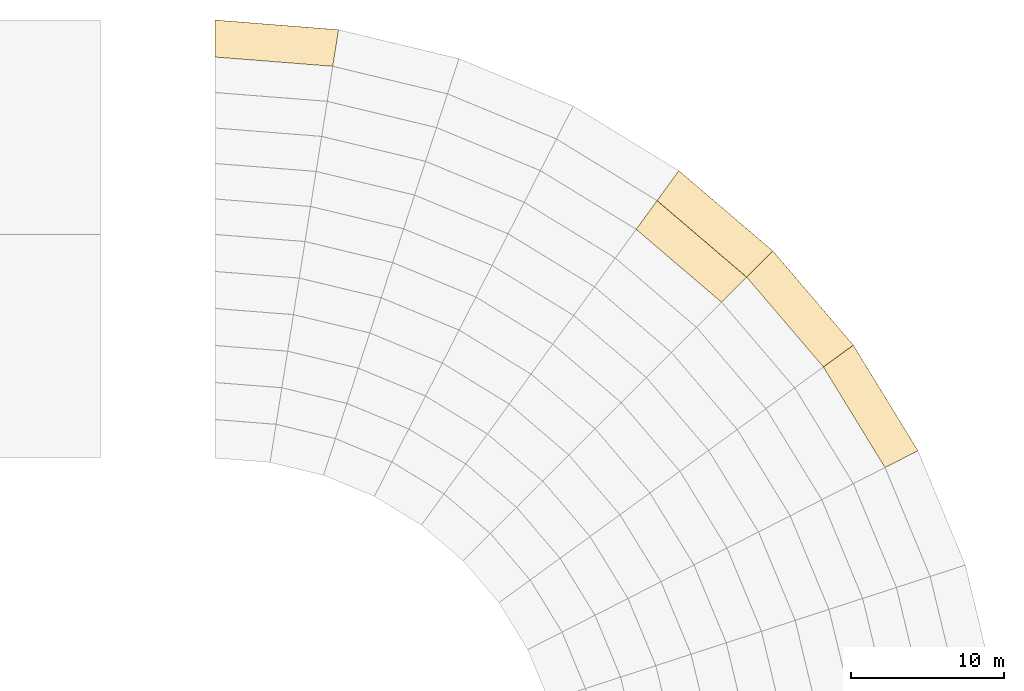
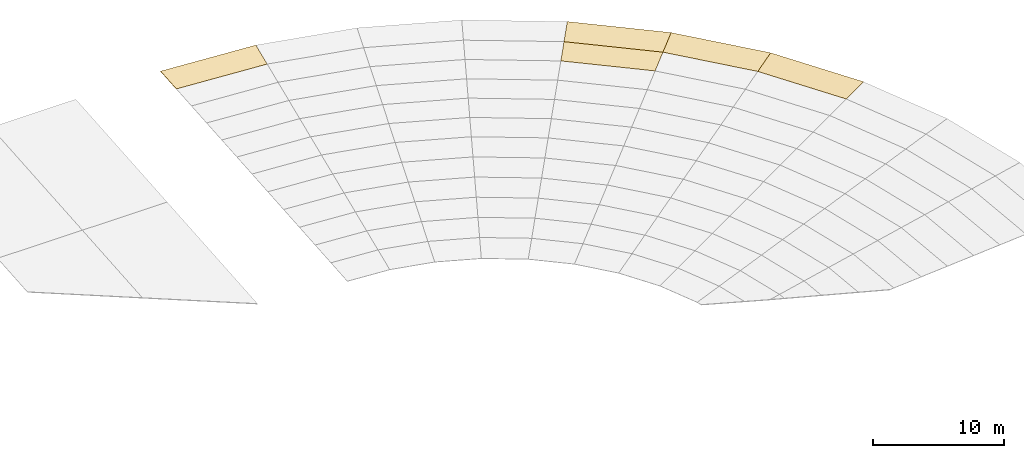
# One storey, part 6 of 6: 5 coverings.
"""IFC4 building model written with IfcOpenShell, lengths in metres."""

from ifc_helpers import new_model, si_unit, direction, frame, origin, place, context, subcontext, project, spatial, polyline, outline, extrude, material, layer, layer_set, type_object, element, save


model = new_model("IFC4")

# Units and contexts
model_context = context("Model", 3, precision=1e-05, world=origin(), true_north=direction((0.0, 1.0)))
body_context = subcontext(model_context, "Body", "Model", "MODEL_VIEW")
ifc_project = project(units=[si_unit("LENGTHUNIT", "METRE"), si_unit("AREAUNIT", "SQUARE_METRE"), si_unit("VOLUMEUNIT", "CUBIC_METRE"), si_unit("PLANEANGLEUNIT", "RADIAN"), si_unit("MASSUNIT", "GRAM", prefix="KILO")], contexts=[model_context])

# Site, building, storey
site_placement = place(None, origin())
site = spatial("IfcSite", under=ifc_project, at=site_placement, CompositionType="ELEMENT")
building_placement = place(site_placement, origin())
building = spatial("IfcBuilding", under=site, at=building_placement, Name="Parallax Yard Mobility Hub", CompositionType="ELEMENT")
storey_placement = place(building_placement, frame((0.0, 0.0, 26.5)))
storey = spatial("IfcBuildingStorey", under=building, at=storey_placement, Name="ROOF", CompositionType="ELEMENT", Elevation=26.5)

# Coverings
ifc_material = material(Name="Aluminium-zinc coated standing seam sheeting", Category="aluminium")
ifc_layer = layer(ifc_material, 0.0400390625)
ifc_layer_set = layer_set([ifc_layer], Name="Canopy roof sheeting 40")
covering_type = type_object("IfcCoveringType", Name="Canopy roof sheeting 40", PredefinedType="ROOFING", material=ifc_layer_set)
placement = place(building_placement, frame((0.0, 0.0, 13.199951171875)))
covering_1_placement = place(placement, frame((172.5, 139.083251953125, 6.560302734375), z_axis=(-0.006276317219, -0.079752044253, 0.996794973543), x_axis=(0.996917751169, -0.078453791526, 1.22186e-07)))
element("IfcCovering", 1, at=covering_1_placement, inside=storey, type_object=covering_type, Name="Canopy roof sheeting sector R0-R1 bay 12", PredefinedType="ROOFING", context=body_context, shape_type="SweptSolid", body=[
    extrude(outline(polyline([(0.0, 0.0), (7.701962013740537, 1.1102230246251565e-16), (7.891703950649682, 2.417021541231488), (-0.18960302381507907, 2.4170456477555002), (0.0, 0.0)])), origin(), (0.0, 0.0, -1.0), 0.0400390625),
])
covering_2_placement = place(placement, frame((199.98876953125, 127.8349609375, 6.375), z_axis=(-0.051937990512, -0.060813494552, 0.996796952254), x_axis=(0.760417820179, -0.649434168145, 2.12965e-07)))
element("IfcCovering", 2, at=covering_2_placement, inside=storey, type_object=covering_type, Name="Canopy roof sheeting sector R4-R5 bay 11", PredefinedType="ROOFING", context=body_context, shape_type="SweptSolid", body=[
    extrude(outline(polyline([(0.0, 0.0), (7.338494753952568, -8.881784197001252e-16), (7.520306391350994, 2.317018041693725), (-0.1816639028942573, 2.317058093465038), (0.0, 0.0)])), origin(), (0.0, 0.0, -1.0), 0.0400390625),
])
covering_3_placement = place(placement, frame((201.3505859375, 129.709228515625, 6.560302734375), z_axis=(-0.051958314477, -0.060836460197, 0.996794491692), x_axis=(0.760414425753, -0.649438142633, 3.35226e-07)))
element("IfcCovering", 3, at=covering_3_placement, inside=storey, type_object=covering_type, Name="Canopy roof sheeting sector R4-R5 bay 12", PredefinedType="ROOFING", context=body_context, shape_type="SweptSolid", body=[
    extrude(outline(polyline([(0.0, 0.0), (7.701970294349113, -8.881784197001252e-16), (7.891599999195862, 2.4168191492284383), (-0.18960186808562599, 2.416885281999084), (0.0, 0.0)])), origin(), (0.0, 0.0, -1.0), 0.0400390625),
])
covering_4_placement = place(placement, frame((207.207275390625, 124.707275390625, 6.560302734375), z_axis=(-0.060836460197, -0.051958314477, 0.996794491692), x_axis=(0.649438142633, -0.760414425753, -3.35226e-07)))
element("IfcCovering", 4, at=covering_4_placement, inside=storey, type_object=covering_type, Name="Canopy roof sheeting sector R5-R6 bay 12", PredefinedType="ROOFING", context=body_context, shape_type="SweptSolid", body=[
    extrude(outline(polyline([(0.0, 0.0), (7.701970294349113, 8.881784197001252e-16), (7.89157216243474, 2.4168852819990843), (-0.18962970484674876, 2.4168191492284397), (0.0, 0.0)])), origin(), (0.0, 0.0, -1.0), 0.0400390625),
])
covering_5_placement = place(placement, frame((212.209228515625, 118.8505859375, 6.560302734375), z_axis=(-0.068215079178, -0.041802495547, 0.996794489521), x_axis=(0.52250479744, -0.852636344904, 3.80336e-07)))
element("IfcCovering", 5, at=covering_5_placement, inside=storey, type_object=covering_type, Name="Canopy roof sheeting sector R6-R7 bay 12", PredefinedType="ROOFING", context=body_context, shape_type="SweptSolid", body=[
    extrude(outline(polyline([(0.0, 0.0), (7.702156768209491, 0.0), (7.89166418418938, 2.416813882103313), (-0.18955555066497176, 2.4168889151004684), (0.0, 0.0)])), origin(), (0.0, 0.0, -1.0), 0.0400390625),
])

save(model, "model.ifc")
